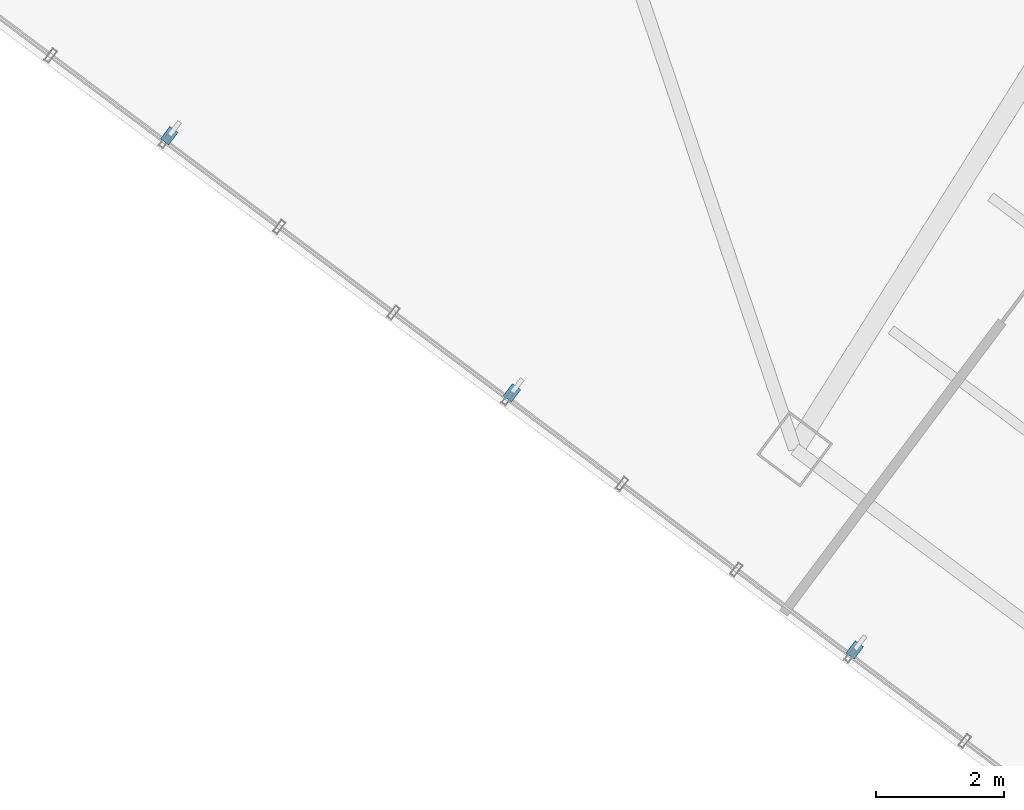
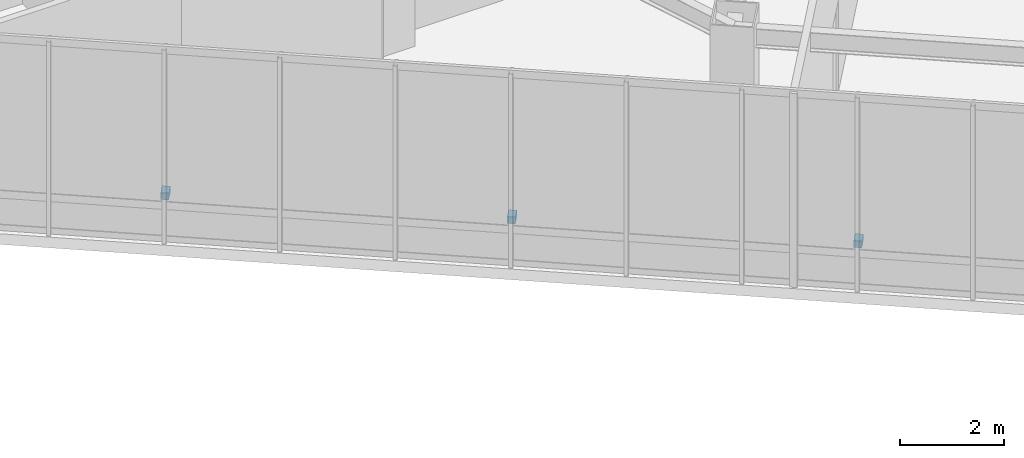
# One storey, part 25 of 30: 3 discrete accessories.
"""IFC4 building model written with IfcOpenShell, lengths in metres."""

from ifc_helpers import new_model, si_unit, direction, frame, origin, origin_2d, place, context, subcontext, project, spatial, rectangle, extrude, material, type_object, element, save


model = new_model("IFC4")

# Units and contexts
model_context = context("Model", 3, precision=1e-05, world=origin(), true_north=direction((0.0, 1.0)))
body_context = subcontext(model_context, "Body", "Model", "MODEL_VIEW")
ifc_project = project(units=[si_unit("LENGTHUNIT", "METRE"), si_unit("AREAUNIT", "SQUARE_METRE"), si_unit("VOLUMEUNIT", "CUBIC_METRE"), si_unit("PLANEANGLEUNIT", "RADIAN"), si_unit("MASSUNIT", "GRAM", prefix="KILO")], contexts=[model_context])

# Site, building, storey
site_placement = place(None, origin())
site = spatial("IfcSite", under=ifc_project, at=site_placement, CompositionType="ELEMENT")
building_placement = place(site_placement, origin())
building = spatial("IfcBuilding", under=site, at=building_placement, Name="Hatsunagi Terrace Concourse", CompositionType="ELEMENT")
storey_placement = place(building_placement, frame((0.0, 0.0, 130.050048828125)))
storey = spatial("IfcBuildingStorey", under=building, at=storey_placement, Name="L34", CompositionType="ELEMENT", Elevation=130.050048828125)

# Discrete accessories
ifc_material = material(Name="Stainless Steel SUS316 Bracket", Category="steel")
discrete_accessory_type = type_object("IfcDiscreteAccessoryType", Name="FacadeScreenSupportBracket_SS", PredefinedType="BRACKET", material=ifc_material)
for number, where, z_axis, x_axis, name in (
    (1, (39.618896484375, 12.89892578125, 0.97021484375), (0.0, 0.0, 1.0), (-0.800005211305, 0.599993051531, 0.0), "Terracotta Screen Bracket BRK-01"),
    (2, (34.25390625, 16.922119140625, 0.97021484375), (0.0, 0.0, 1.0), (-0.800005211305, 0.599993051531, 0.0), "Terracotta Screen Bracket BRK-01"),
    (3, (28.889892578125, 20.946044921875, 0.97021484375), (0.0, 0.0, 1.0), (-0.800005211305, 0.599993051531, 0.0), "Terracotta Screen Bracket BRK-01"),
):
    element("IfcDiscreteAccessory", number, at=place(storey_placement, frame(where, z_axis=z_axis, x_axis=x_axis)), inside=storey, type_object=discrete_accessory_type, Name=name, PredefinedType="BRACKET", context=body_context, shape_type="SweptSolid", body=[
        extrude(rectangle(XDim=0.159912109375, YDim=0.239990234375, at=origin_2d()), origin(), (0.0, 0.0, 1.0), 0.159912109375),
    ])

save(model, "model.ifc")
